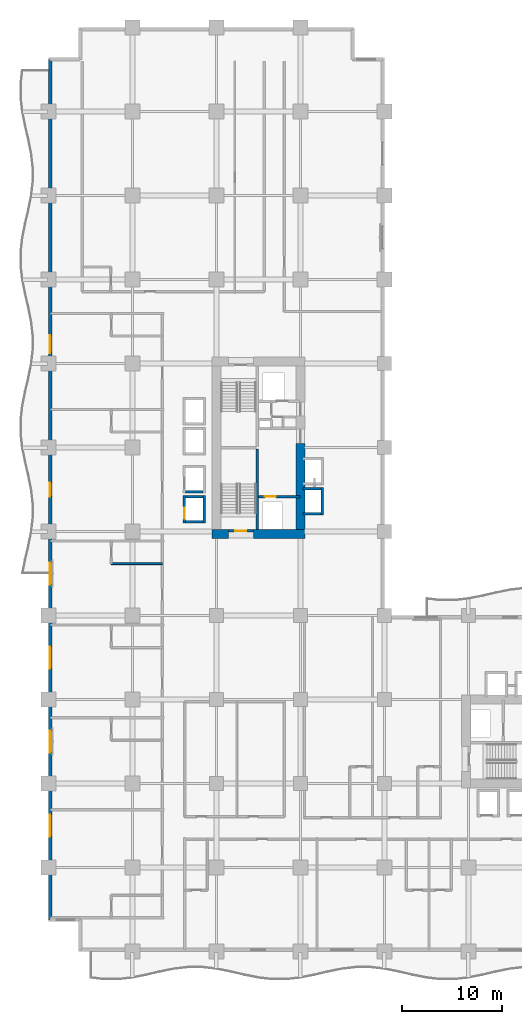
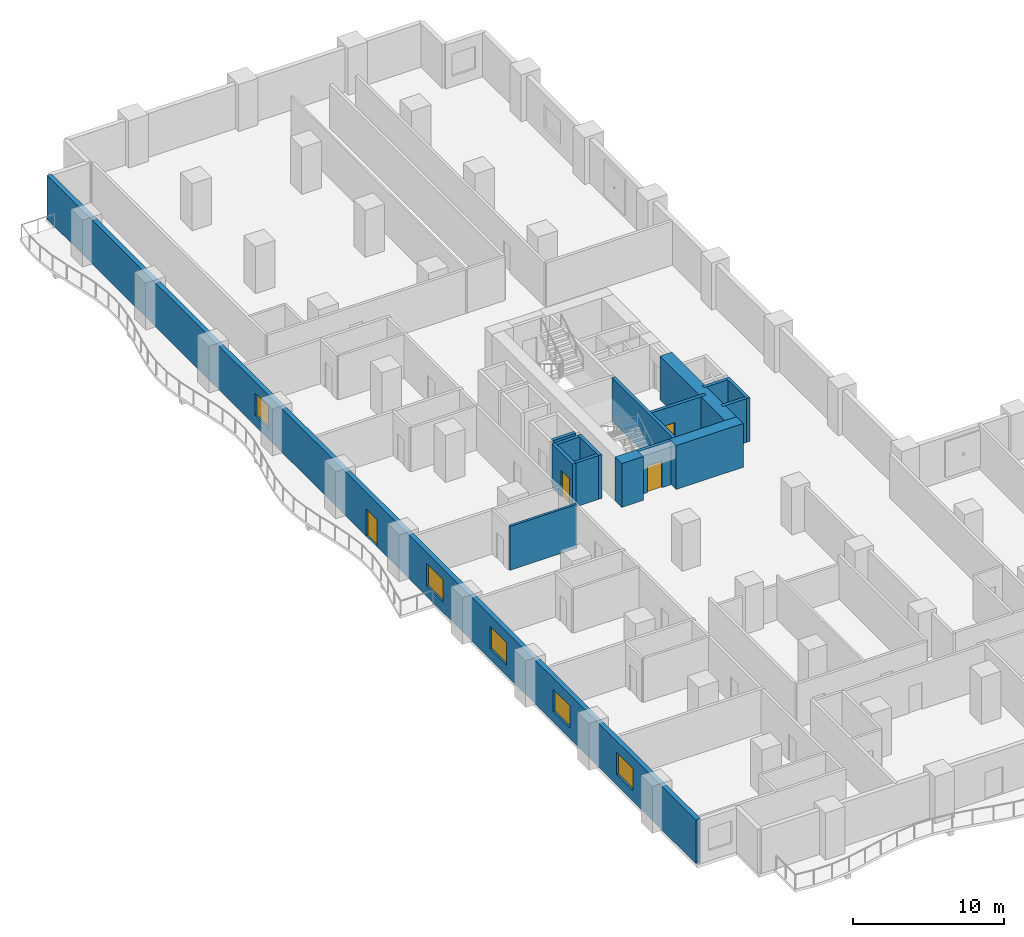
# One storey, part 9 of 22: 16 walls, 5 windows, 4 doors, 9 openings.
"""IFC4 building model written with IfcOpenShell, lengths in metres."""

from ifc_helpers import new_model, si_unit, direction, frame, frame_2d, origin, place, context, subcontext, project, spatial, rectangle, extrude, material, layer, layer_set, type_object, element, fill, save


model = new_model("IFC4")

# Units and contexts
model_context = context("Model", 3, precision=1e-05, world=origin(), true_north=direction((0.0, 1.0)))
body_context = subcontext(model_context, "Body", "Model", "MODEL_VIEW")
ifc_project = project(units=[si_unit("LENGTHUNIT", "METRE"), si_unit("AREAUNIT", "SQUARE_METRE"), si_unit("VOLUMEUNIT", "CUBIC_METRE"), si_unit("PLANEANGLEUNIT", "RADIAN"), si_unit("MASSUNIT", "GRAM", prefix="KILO")], contexts=[model_context])

# Site, building, storey
site_placement = place(None, origin())
site = spatial("IfcSite", under=ifc_project, at=site_placement, CompositionType="ELEMENT")
building_placement = place(site_placement, origin())
building = spatial("IfcBuilding", under=site, at=building_placement, Name="Koriwani Terraces Tower", CompositionType="ELEMENT")
storey_placement = place(building_placement, frame((0.0, 0.0, 51.0)))
storey = spatial("IfcBuildingStorey", under=building, at=storey_placement, Name="L11", CompositionType="ELEMENT", Elevation=51.0)

# Walls
ifc_material_1 = material(Name="Concrete C60/75", Category="concrete")
ifc_layer_1 = layer(ifc_material_1, 0.89990234375, Name="Concrete C60/75")
ifc_layer_set_1 = layer_set([ifc_layer_1], Name="Concrete C60/75")
wall_type_1 = type_object("IfcWallType", Name="WALL_CORE_RC_900", PredefinedType="SHEAR", material=ifc_layer_set_1)
wall_1_placement = place(storey_placement, frame((16.35009765625, 41.75, 0.0), z_axis=(0.0, 0.0, 1.0), x_axis=(1.0, 0.0, 0.0)))
element("IfcWall", 1, at=wall_1_placement, inside=storey, type_object=wall_type_1, Name="L11 West Split Core Shear Wall S1", PredefinedType="SHEAR", context=body_context, shape_type="SweptSolid", body=[
    extrude(rectangle(XDim=1.64990234375, YDim=0.89990234375, at=frame_2d((0.824951171875, 0.0))), origin(), (0.0, 0.0, 1.0), 3.550048828125),
])
wall_2_placement = place(storey_placement, frame((20.5, 41.75, 0.0), z_axis=(0.0, 0.0, 1.0), x_axis=(1.0, 0.0, 0.0)))
element("IfcWall", 2, at=wall_2_placement, inside=storey, type_object=wall_type_1, Name="L11 West Split Core Shear Wall S2", PredefinedType="SHEAR", context=body_context, shape_type="SweptSolid", body=[
    extrude(rectangle(XDim=5.14990234375, YDim=0.89990234375, at=frame_2d((2.574951171875, 0.0))), origin(), (0.0, 0.0, 1.0), 3.550048828125),
])
wall_3_placement = place(storey_placement, frame((25.199951171875, 42.199951171875, 0.0), z_axis=(0.0, 0.0, 1.0), x_axis=(0.0, 1.0, 0.0)))
element("IfcWall", 3, at=wall_3_placement, inside=storey, type_object=wall_type_1, Name="L11 West Split Core Shear Wall E1", PredefinedType="SHEAR", context=body_context, shape_type="SweptSolid", body=[
    extrude(rectangle(XDim=8.60009765625, YDim=0.89990234375, at=frame_2d((4.300048828125, 0.0))), origin(), (0.0, 0.0, 1.0), 3.550048828125),
])

# Wall, openings, door, windows
ifc_material_2 = material(Name="Concrete C50/60", Category="concrete")
ifc_layer_2 = layer(ifc_material_2, 0.35009765625, Name="Concrete C50/60")
ifc_layer_set_2 = layer_set([ifc_layer_2], Name="Concrete C50/60")
wall_type_2 = type_object("IfcWallType", Name="WALL_EXT_BRUTALIST_350", PredefinedType="STANDARD", material=ifc_layer_set_2)
wall_4_placement = place(storey_placement, frame((0.175048828125, 3.175048828125, 0.0), z_axis=(0.0, 0.0, 1.0), x_axis=(0.0, 1.0, 0.0)))
wall_4 = element("IfcWall", 4, at=wall_4_placement, inside=storey, type_object=wall_type_2, Name="L11 Fair-Faced Brutalist Exterior Wall (W)", PredefinedType="STANDARD", context=body_context, shape_type="SweptSolid", body=[
    extrude(rectangle(XDim=86.050048828125, YDim=0.35009765625, at=frame_2d((43.02490234375, 0.0))), origin(), (0.0, 0.0, 1.0), 3.550048828125),
])
opening_1_placement = place(wall_4_placement, frame((42.324951171875, 0.0, 0.0)))
opening_1 = element("IfcOpeningElement", 5, at=opening_1_placement, cuts=wall_4, Name="Opening D-09", PredefinedType="OPENING", context=body_context, shape_type="SweptSolid", body=[
    extrude(rectangle(XDim=1.39990234375, YDim=2.199951171875, at=frame_2d((0.699951171875, 1.10009765625))), frame((0.0, 0.18505859375, 0.0), z_axis=(0.0, -1.0, 0.0), x_axis=(1.0, 0.0, 0.0)), (0.0, 0.0, 1.0), 0.3701171875),
])
opening_2_placement = place(wall_4_placement, frame((8.324951171875, 0.0, 0.85009765625)))
opening_2 = element("IfcOpeningElement", 6, at=opening_2_placement, cuts=wall_4, Name="Opening W-01", PredefinedType="OPENING", context=body_context, shape_type="SweptSolid", body=[
    extrude(rectangle(XDim=2.199951171875, YDim=1.800048828125, at=frame_2d((1.10009765625, 0.89990234375))), frame((0.0, 0.18505859375, 0.0), z_axis=(0.0, -1.0, 0.0), x_axis=(1.0, 0.0, 0.0)), (0.0, 0.0, 1.0), 0.3701171875),
])
opening_3_placement = place(wall_4_placement, frame((16.72509765625, 0.0, 0.85009765625)))
opening_3 = element("IfcOpeningElement", 7, at=opening_3_placement, cuts=wall_4, Name="Opening W-01", PredefinedType="OPENING", context=body_context, shape_type="SweptSolid", body=[
    extrude(rectangle(XDim=2.199951171875, YDim=1.800048828125, at=frame_2d((1.10009765625, 0.89990234375))), frame((0.0, 0.18505859375, 0.0), z_axis=(0.0, -1.0, 0.0), x_axis=(1.0, 0.0, 0.0)), (0.0, 0.0, 1.0), 0.3701171875),
])
opening_4_placement = place(wall_4_placement, frame((25.125, 0.0, 0.85009765625)))
opening_4 = element("IfcOpeningElement", 8, at=opening_4_placement, cuts=wall_4, Name="Opening W-01", PredefinedType="OPENING", context=body_context, shape_type="SweptSolid", body=[
    extrude(rectangle(XDim=2.199951171875, YDim=1.800048828125, at=frame_2d((1.10009765625, 0.89990234375))), frame((0.0, 0.18505859375, 0.0), z_axis=(0.0, -1.0, 0.0), x_axis=(1.0, 0.0, 0.0)), (0.0, 0.0, 1.0), 0.3701171875),
])
opening_5_placement = place(wall_4_placement, frame((33.52490234375, 0.0, 0.85009765625)))
opening_5 = element("IfcOpeningElement", 9, at=opening_5_placement, cuts=wall_4, Name="Opening W-01", PredefinedType="OPENING", context=body_context, shape_type="SweptSolid", body=[
    extrude(rectangle(XDim=2.199951171875, YDim=1.800048828125, at=frame_2d((1.10009765625, 0.89990234375))), frame((0.0, 0.18505859375, 0.0), z_axis=(0.0, -1.0, 0.0), x_axis=(1.0, 0.0, 0.0)), (0.0, 0.0, 1.0), 0.3701171875),
])
opening_6_placement = place(wall_4_placement, frame((56.675048828125, 0.0, 0.85009765625)))
opening_6 = element("IfcOpeningElement", 10, at=opening_6_placement, cuts=wall_4, Name="Opening W-04", PredefinedType="OPENING", context=body_context, shape_type="SweptSolid", body=[
    extrude(rectangle(XDim=1.800048828125, YDim=1.800048828125, at=frame_2d((0.89990234375, 0.89990234375))), frame((0.0, 0.18505859375, 0.0), z_axis=(0.0, -1.0, 0.0), x_axis=(1.0, 0.0, 0.0)), (0.0, 0.0, 1.0), 0.3701171875),
])
ifc_material_3 = material(Name="Anodised Bronze Aluminium", Category="aluminium")
door_type_1 = type_object("IfcDoorType", Name="DOOR_BALCONY_GLAZED_1400X2200", OperationType="NOTDEFINED", PredefinedType="DOOR", material=ifc_material_3)
door_1_placement = place(opening_1_placement, origin())
door_1 = element("IfcDoor", 11, at=door_1_placement, inside=storey, type_object=door_type_1, Name="L11 West Balcony Glazed Door", OperationType="SINGLE_SWING_LEFT", OverallHeight=2.199951171875, OverallWidth=1.39990234375, PredefinedType="DOOR", context=body_context, shape_type="SweptSolid", body=[
    extrude(rectangle(XDim=1.39990234375, YDim=2.199951171875, at=frame_2d((0.699951171875, 1.10009765625))), frame((0.0, 0.02490234375, 0.0), z_axis=(0.0, -1.0, 0.0), x_axis=(1.0, 0.0, 0.0)), (0.0, 0.0, 1.0), 0.050048828125),
])
fill(opening_1, door_1)
ifc_material_4 = material(Name="Tempered Laminated Low-E Glass", Category="glass")
window_type_1 = type_object("IfcWindowType", Name="WIN_HOTEL_STD_2200X1800", PartitioningType="DOUBLE_PANEL_VERTICAL", PredefinedType="WINDOW", material=ifc_material_4)
window_1_placement = place(opening_2_placement, origin())
window_1 = element("IfcWindow", 12, at=window_1_placement, inside=storey, type_object=window_type_1, Name="L11 Exterior Window (W-3)", OverallHeight=1.800048828125, OverallWidth=2.199951171875, PartitioningType="SINGLE_PANEL", PredefinedType="WINDOW", context=body_context, shape_type="SweptSolid", body=[
    extrude(rectangle(XDim=2.199951171875, YDim=1.800048828125, at=frame_2d((1.10009765625, 0.89990234375))), frame((0.0, 0.030029296875, 0.0), z_axis=(0.0, -1.0, 0.0), x_axis=(1.0, 0.0, 0.0)), (0.0, 0.0, 1.0), 0.06005859375),
])
fill(opening_2, window_1)
window_2_placement = place(opening_3_placement, origin())
window_2 = element("IfcWindow", 13, at=window_2_placement, inside=storey, type_object=window_type_1, Name="L11 Exterior Window (W-6)", OverallHeight=1.800048828125, OverallWidth=2.199951171875, PartitioningType="SINGLE_PANEL", PredefinedType="WINDOW", context=body_context, shape_type="SweptSolid", body=[
    extrude(rectangle(XDim=2.199951171875, YDim=1.800048828125, at=frame_2d((1.10009765625, 0.89990234375))), frame((0.0, 0.030029296875, 0.0), z_axis=(0.0, -1.0, 0.0), x_axis=(1.0, 0.0, 0.0)), (0.0, 0.0, 1.0), 0.06005859375),
])
fill(opening_3, window_2)
window_3_placement = place(opening_4_placement, origin())
window_3 = element("IfcWindow", 14, at=window_3_placement, inside=storey, type_object=window_type_1, Name="L11 Exterior Window (W-9)", OverallHeight=1.800048828125, OverallWidth=2.199951171875, PartitioningType="SINGLE_PANEL", PredefinedType="WINDOW", context=body_context, shape_type="SweptSolid", body=[
    extrude(rectangle(XDim=2.199951171875, YDim=1.800048828125, at=frame_2d((1.10009765625, 0.89990234375))), frame((0.0, 0.030029296875, 0.0), z_axis=(0.0, -1.0, 0.0), x_axis=(1.0, 0.0, 0.0)), (0.0, 0.0, 1.0), 0.06005859375),
])
fill(opening_4, window_3)
window_4_placement = place(opening_5_placement, origin())
window_4 = element("IfcWindow", 15, at=window_4_placement, inside=storey, type_object=window_type_1, Name="L11 Exterior Window (W-12)", OverallHeight=1.800048828125, OverallWidth=2.199951171875, PartitioningType="SINGLE_PANEL", PredefinedType="WINDOW", context=body_context, shape_type="SweptSolid", body=[
    extrude(rectangle(XDim=2.199951171875, YDim=1.800048828125, at=frame_2d((1.10009765625, 0.89990234375))), frame((0.0, 0.030029296875, 0.0), z_axis=(0.0, -1.0, 0.0), x_axis=(1.0, 0.0, 0.0)), (0.0, 0.0, 1.0), 0.06005859375),
])
fill(opening_5, window_4)
window_type_2 = type_object("IfcWindowType", Name="WIN_RES_BED_1800X1800", PartitioningType="DOUBLE_PANEL_VERTICAL", PredefinedType="WINDOW", material=ifc_material_4)
window_5_placement = place(opening_6_placement, origin())
window_5 = element("IfcWindow", 16, at=window_5_placement, inside=storey, type_object=window_type_2, Name="L11 Exterior Window (W-R46)", OverallHeight=1.800048828125, OverallWidth=1.800048828125, PartitioningType="SINGLE_PANEL", PredefinedType="WINDOW", context=body_context, shape_type="SweptSolid", body=[
    extrude(rectangle(XDim=1.800048828125, YDim=1.800048828125, at=frame_2d((0.89990234375, 0.89990234375))), frame((0.0, 0.030029296875, 0.0), z_axis=(0.0, -1.0, 0.0), x_axis=(1.0, 0.0, 0.0)), (0.0, 0.0, 1.0), 0.06005859375),
])
fill(opening_6, window_5)

# Walls
ifc_material_5 = material(Name="Fire-Rated Acoustic Gypsum Partition", Category="masonry")
ifc_layer_3 = layer(ifc_material_5, 0.179931640625, Name="Fire-Rated Acoustic Gypsum Partition")
ifc_layer_set_3 = layer_set([ifc_layer_3], Name="Fire-Rated Acoustic Gypsum Partition")
wall_type_3 = type_object("IfcWallType", Name="WALL_PLUMBING_180", PredefinedType="PLUMBINGWALL", material=ifc_layer_set_3)
wall_5_placement = place(storey_placement, frame((6.300048828125, 38.800048828125, 0.0), z_axis=(0.0, 0.0, 1.0), x_axis=(1.0, 0.0, 0.0)))
element("IfcWall", 17, at=wall_5_placement, inside=storey, type_object=wall_type_3, Name="L11 Interior Wall WBTH2-L11-NW-3", PredefinedType="PLUMBINGWALL", context=body_context, shape_type="SweptSolid", body=[
    extrude(rectangle(XDim=5.099853515625, YDim=0.179931640625, at=frame_2d((2.5498046875, 0.0))), origin(), (0.0, 0.0, 1.0), 3.550048828125),
])
ifc_material_6 = material(Name="Concrete C40/50", Category="concrete")
ifc_layer_4 = layer(ifc_material_6, 0.25, Name="Concrete C40/50")
ifc_layer_set_4 = layer_set([ifc_layer_4], Name="Concrete C40/50")
wall_type_4 = type_object("IfcWallType", Name="WALL_SHAFT_RATED_250", PredefinedType="SOLIDWALL", material=ifc_layer_set_4)
wall_6_placement = place(storey_placement, frame((20.875, 42.199951171875, 0.0), z_axis=(0.0, 0.0, 1.0), x_axis=(0.0, 1.0, 0.0)))
element("IfcWall", 18, at=wall_6_placement, inside=storey, type_object=wall_type_4, Name="L11 West Split Core Web Wall MID1", PredefinedType="SOLIDWALL", context=body_context, shape_type="SweptSolid", body=[
    extrude(rectangle(XDim=8.050048828125, YDim=0.25, at=frame_2d((4.02490234375, 0.0))), origin(), (0.0, 0.0, 1.0), 3.550048828125),
])

# Wall, opening, door
wall_7_placement = place(storey_placement, frame((18.0, 42.074951171875, 0.0), z_axis=(0.0, 0.0, 1.0), x_axis=(1.0, 0.0, 0.0)))
wall_7 = element("IfcWall", 19, at=wall_7_placement, inside=storey, type_object=wall_type_4, Name="L11 Interior Wall WIN-CW-L11-STS", PredefinedType="SOLIDWALL", context=body_context, shape_type="SweptSolid", body=[
    extrude(rectangle(XDim=2.5, YDim=0.25, at=frame_2d((1.25, 0.0))), origin(), (0.0, 0.0, 1.0), 3.550048828125),
])
opening_7_placement = place(wall_7_placement, frame((0.699951171875, 0.0, 0.0)))
opening_7 = element("IfcOpeningElement", 20, at=opening_7_placement, cuts=wall_7, Name="Opening D-03", PredefinedType="OPENING", context=body_context, shape_type="SweptSolid", body=[
    extrude(rectangle(XDim=1.10009765625, YDim=2.14990234375, at=frame_2d((0.550048828125, 1.074951171875))), frame((0.0, 0.135009765625, 0.0), z_axis=(0.0, -1.0, 0.0), x_axis=(1.0, 0.0, 0.0)), (0.0, 0.0, 1.0), 0.27001953125),
])
ifc_material_7 = material(Name="Steel ASTM A572 Grade 50", Category="steel")
door_type_2 = type_object("IfcDoorType", Name="DOOR_STAIR_FIRE_1100X2150", OperationType="NOTDEFINED", PredefinedType="DOOR", material=ifc_material_7)
door_2_placement = place(opening_7_placement, origin())
door_2 = element("IfcDoor", 21, at=door_2_placement, inside=storey, type_object=door_type_2, Name="L11 Exit Stair ST-W1 Door", OperationType="SINGLE_SWING_LEFT", OverallHeight=2.14990234375, OverallWidth=1.10009765625, PredefinedType="DOOR", context=body_context, shape_type="SweptSolid", body=[
    extrude(rectangle(XDim=1.10009765625, YDim=2.14990234375, at=frame_2d((0.550048828125, 1.074951171875))), frame((0.0, 0.02490234375, 0.0), z_axis=(0.0, -1.0, 0.0), x_axis=(1.0, 0.0, 0.0)), (0.0, 0.0, 1.0), 0.050048828125),
])
fill(opening_7, door_2)

wall_8_placement = place(storey_placement, frame((21.0, 45.5, 0.0), z_axis=(0.0, 0.0, 1.0), x_axis=(1.0, 0.0, 0.0)))
wall_8 = element("IfcWall", 22, at=wall_8_placement, inside=storey, type_object=wall_type_4, Name="L11 Interior Wall WIN-CW-L11-FE", PredefinedType="SOLIDWALL", context=body_context, shape_type="SweptSolid", body=[
    extrude(rectangle(XDim=4.14990234375, YDim=0.25, at=frame_2d((2.074951171875, 0.0))), origin(), (0.0, 0.0, 1.0), 3.550048828125),
])
opening_8_placement = place(wall_8_placement, frame((0.64990234375, 0.0, 0.0)))
opening_8 = element("IfcOpeningElement", 23, at=opening_8_placement, cuts=wall_8, Name="Opening LD-01", PredefinedType="OPENING", context=body_context, shape_type="SweptSolid", body=[
    extrude(rectangle(XDim=1.10009765625, YDim=2.14990234375, at=frame_2d((0.550048828125, 1.074951171875))), frame((0.0, 0.135009765625, 0.0), z_axis=(0.0, -1.0, 0.0), x_axis=(1.0, 0.0, 0.0)), (0.0, 0.0, 1.0), 0.27001953125),
])
door_type_3 = type_object("IfcDoorType", Name="DOOR_LIFT_LANDING_1100X2200", OperationType="NOTDEFINED", PredefinedType="DOOR", material=ifc_material_7)
door_3_placement = place(opening_8_placement, origin())
door_3 = element("IfcDoor", 24, at=door_3_placement, inside=storey, type_object=door_type_3, Name="L11 Firefighting Lift FE-01 Landing Door", OperationType="SLIDING_TO_LEFT", OverallHeight=2.14990234375, OverallWidth=1.10009765625, PredefinedType="DOOR", context=body_context, shape_type="SweptSolid", body=[
    extrude(rectangle(XDim=1.10009765625, YDim=2.14990234375, at=frame_2d((0.550048828125, 1.074951171875))), frame((0.0, 0.02490234375, 0.0), z_axis=(0.0, -1.0, 0.0), x_axis=(1.0, 0.0, 0.0)), (0.0, 0.0, 1.0), 0.050048828125),
])
fill(opening_8, door_3)

wall_9_placement = place(storey_placement, frame((13.60009765625, 42.875, 0.0), z_axis=(0.0, 0.0, 1.0), x_axis=(0.0, 1.0, 0.0)))
wall_9 = element("IfcWall", 25, at=wall_9_placement, inside=storey, type_object=wall_type_4, Name="L11 Interior Wall WIN-LF-PE-L1-L11-F", PredefinedType="SOLIDWALL", context=body_context, shape_type="SweptSolid", body=[
    extrude(rectangle(XDim=2.75, YDim=0.25, at=frame_2d((1.375, 0.0))), origin(), (0.0, 0.0, 1.0), 3.550048828125),
])
opening_9_placement = place(wall_9_placement, frame((0.39990234375, 0.0, 0.0)))
opening_9 = element("IfcOpeningElement", 26, at=opening_9_placement, cuts=wall_9, Name="Opening LD-01", PredefinedType="OPENING", context=body_context, shape_type="SweptSolid", body=[
    extrude(rectangle(XDim=1.10009765625, YDim=2.14990234375, at=frame_2d((0.550048828125, 1.074951171875))), frame((0.0, 0.135009765625, 0.0), z_axis=(0.0, -1.0, 0.0), x_axis=(1.0, 0.0, 0.0)), (0.0, 0.0, 1.0), 0.27001953125),
])
door_4_placement = place(opening_9_placement, origin())
door_4 = element("IfcDoor", 27, at=door_4_placement, inside=storey, type_object=door_type_3, Name="L11 Passenger Lift PE-L1 Landing Door", OperationType="SLIDING_TO_LEFT", OverallHeight=2.14990234375, OverallWidth=1.10009765625, PredefinedType="DOOR", context=body_context, shape_type="SweptSolid", body=[
    extrude(rectangle(XDim=1.10009765625, YDim=2.14990234375, at=frame_2d((0.550048828125, 1.074951171875))), frame((0.0, 0.02490234375, 0.0), z_axis=(0.0, -1.0, 0.0), x_axis=(1.0, 0.0, 0.0)), (0.0, 0.0, 1.0), 0.050048828125),
])
fill(opening_9, door_4)

# Walls
wall_10_placement = place(storey_placement, frame((15.60009765625, 42.875, 0.0), z_axis=(0.0, 0.0, 1.0), x_axis=(0.0, 1.0, 0.0)))
element("IfcWall", 28, at=wall_10_placement, inside=storey, type_object=wall_type_4, Name="L11 Interior Wall WIN-LF-PE-L1-L11-B", PredefinedType="SOLIDWALL", context=body_context, shape_type="SweptSolid", body=[
    extrude(rectangle(XDim=2.75, YDim=0.25, at=frame_2d((1.375, 0.0))), origin(), (0.0, 0.0, 1.0), 3.550048828125),
])
for number, where, z_axis, x_axis, name in (
    (29, (13.72509765625, 43.0, 0.0), (0.0, 0.0, 1.0), (1.0, 0.0, 0.0), "L11 Interior Wall WIN-LF-PE-L1-L11-S"),
    (30, (13.72509765625, 45.5, 0.0), (0.0, 0.0, 1.0), (1.0, 0.0, 0.0), "L11 Interior Wall WIN-LF-PE-L1-L11-N"),
    (31, (13.72509765625, 46.0, 0.0), (0.0, 0.0, 1.0), (1.0, 0.0, 0.0), "L11 Interior Wall WIN-LF-PE-L2-L11-S"),
):
    element("IfcWall", number, at=place(storey_placement, frame(where, z_axis=z_axis, x_axis=x_axis)), inside=storey, type_object=wall_type_4, Name=name, PredefinedType="SOLIDWALL", context=body_context, shape_type="SweptSolid", body=[
        extrude(rectangle(XDim=1.75, YDim=0.25, at=frame_2d((0.875, 0.0))), origin(), (0.0, 0.0, 1.0), 3.550048828125),
    ])
wall_11_placement = place(storey_placement, frame((27.39990234375, 43.675048828125, 0.0), z_axis=(0.0, 0.0, 1.0), x_axis=(0.0, 1.0, 0.0)))
element("IfcWall", 32, at=wall_11_placement, inside=storey, type_object=wall_type_4, Name="L11 Interior Wall WIN-LF-PE-H1-L11-F", PredefinedType="SOLIDWALL", context=body_context, shape_type="SweptSolid", body=[
    extrude(rectangle(XDim=2.75, YDim=0.25, at=frame_2d((1.375, 0.0))), origin(), (0.0, 0.0, 1.0), 3.550048828125),
])
for number, where, z_axis, x_axis, name in (
    (33, (25.449951171875, 43.800048828125, 0.0), (0.0, 0.0, 1.0), (1.0, 0.0, 0.0), "L11 Interior Wall WIN-LF-PE-H1-L11-S"),
    (34, (25.449951171875, 46.300048828125, 0.0), (0.0, 0.0, 1.0), (1.0, 0.0, 0.0), "L11 Interior Wall WIN-LF-PE-H1-L11-N"),
):
    element("IfcWall", number, at=place(storey_placement, frame(where, z_axis=z_axis, x_axis=x_axis)), inside=storey, type_object=wall_type_4, Name=name, PredefinedType="SOLIDWALL", context=body_context, shape_type="SweptSolid", body=[
        extrude(rectangle(XDim=1.824951171875, YDim=0.25, at=frame_2d((0.91259765625, 0.0))), origin(), (0.0, 0.0, 1.0), 3.550048828125),
    ])

save(model, "model.ifc")
